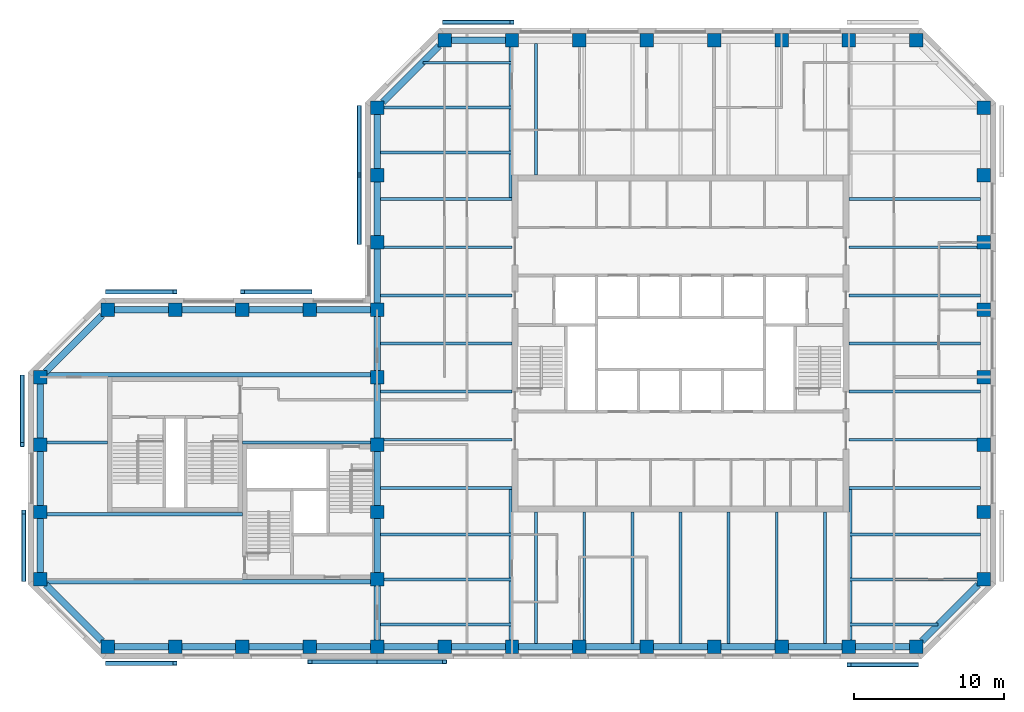
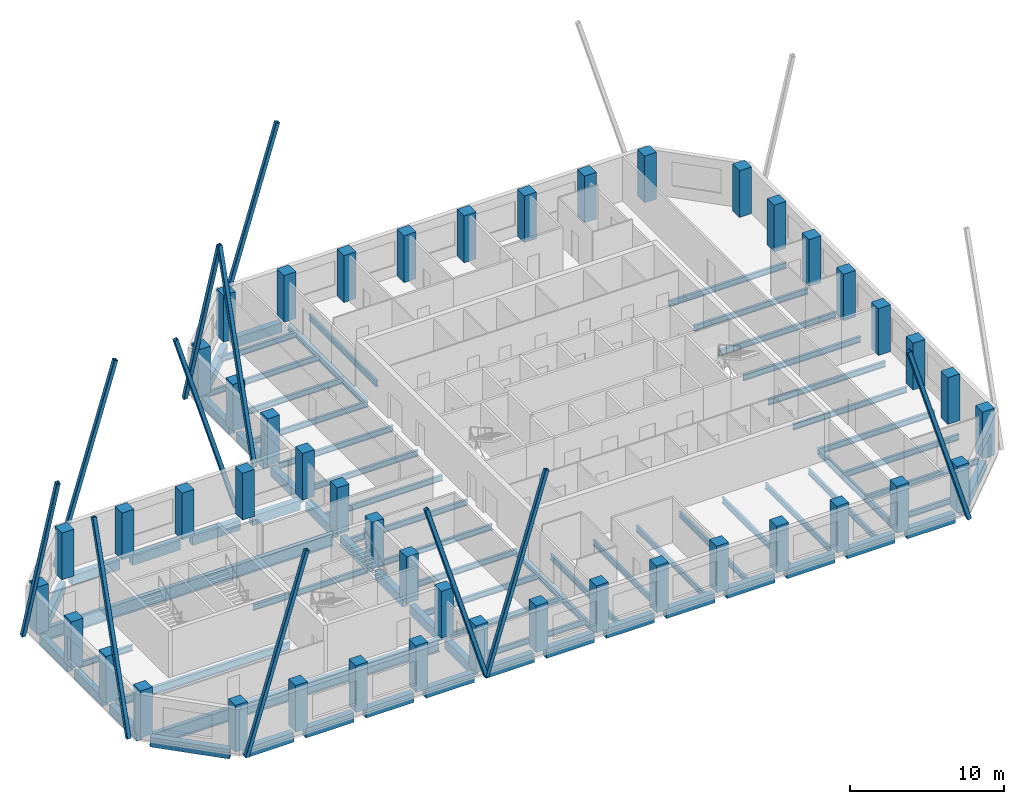
# One storey, part 1 of 9: 71 beams, 45 columns, 11 members.
"""IFC4 building model written with IfcOpenShell, lengths in metres."""

import ifcopenshell
import ifcopenshell.guid

model = None  # the IFC model being written
_history = None  # IfcOwnerHistory: only IFC2X3 demands one
_inside = {}  # id of a spatial element -> (the spatial element, [elements in it])
_under = {}  # id of a project, library or spatial element -> (it, [spatial elements below it])
_declared = {}  # id of a project -> (the project, [libraries it declares])
_typed = {}  # id of a type object -> (the type object, [elements of that type])
_made_of = {}  # id of a material, layer set ... -> (it, [elements and type objects made of it])


def new_model(schema):
    """Start an empty IFC model of exactly this schema.

    Asked for "IFC4X3", IfcOpenShell would pick the latest addendum, in which some entities
    have other attributes; the version numbers below select the first issue.
    IFC2X3 requires an IfcOwnerHistory on every rooted entity: one is made here for all.
    """
    global model, _history
    if schema == "IFC4X3":
        model = ifcopenshell.file(schema_version=(4, 3, 0, 0))
    else:
        model = ifcopenshell.file(schema=schema)
    _inside.clear()
    _under.clear()
    _declared.clear()
    _typed.clear()
    _made_of.clear()
    _history = None
    if model.schema == "IFC2X3":
        org = make("IfcOrganization", Name="unknown")
        user = make(
            "IfcPersonAndOrganization",
            ThePerson=make("IfcPerson", FamilyName="unknown"),
            TheOrganization=org,
        )
        app = make(
            "IfcApplication",
            ApplicationDeveloper=org,
            Version="unknown",
            ApplicationFullName="unknown",
            ApplicationIdentifier="unknown",
        )
        _history = make(
            "IfcOwnerHistory",
            OwningUser=user,
            OwningApplication=app,
            ChangeAction="ADDED",
            CreationDate=0,
        )
    return model


def make(cls, **values):
    """One entity of the class cls with the attributes given. An attribute that is None is left unset."""
    return model.create_entity(
        cls, **{name: value for name, value in values.items() if value is not None}
    )


def rooted(cls, **values):
    """An entity with a GlobalId (a new one), such as an element, a storey or a relation."""
    return make(cls, GlobalId=ifcopenshell.guid.new(), OwnerHistory=_history, **values)


def si_unit(unit_type, name, prefix=None):
    """IfcSIUnit, for example si_unit("LENGTHUNIT", "METRE", prefix="MILLI")."""
    return make("IfcSIUnit", UnitType=unit_type, Prefix=prefix, Name=name)


def assignment(units):
    """IfcUnitAssignment: the units of a project."""
    return None if units is None else make("IfcUnitAssignment", Units=units)


def point(xyz):
    """IfcCartesianPoint."""
    return None if xyz is None else make("IfcCartesianPoint", Coordinates=xyz)


def direction(xyz):
    """IfcDirection."""
    return None if xyz is None else make("IfcDirection", DirectionRatios=xyz)


def frame(location, z_axis=None, x_axis=None):
    """IfcAxis2Placement3D, a coordinate frame: its origin and axes. An axis left out is left unset."""
    return make(
        "IfcAxis2Placement3D",
        Location=point(location),
        Axis=direction(z_axis),
        RefDirection=direction(x_axis),
    )


def frame_2d(location, x_axis=None):
    """IfcAxis2Placement2D, a coordinate frame in the plane: its origin and x axis."""
    return make(
        "IfcAxis2Placement2D", Location=point(location), RefDirection=direction(x_axis)
    )


def origin():
    """The frame at (0, 0, 0) with its axes left unset."""
    return frame((0.0, 0.0, 0.0))


def origin_2d():
    """The frame at (0, 0) in the plane with its x axis left unset."""
    return frame_2d((0.0, 0.0))


def place(relative_to, where):
    """IfcLocalPlacement: puts the frame where relative to a parent placement (None: the world)."""
    return make(
        "IfcLocalPlacement", PlacementRelTo=relative_to, RelativePlacement=where
    )


def context(
    kind, dimensions, precision=None, world=None, true_north=None, identifier=None
):
    """IfcGeometricRepresentationContext, for example the 3D "Model" context."""
    return make(
        "IfcGeometricRepresentationContext",
        ContextIdentifier=identifier,
        ContextType=kind,
        CoordinateSpaceDimension=dimensions,
        Precision=precision,
        WorldCoordinateSystem=world,
        TrueNorth=true_north,
    )


def subcontext(parent, identifier, kind, view, scale=None):
    """IfcGeometricRepresentationSubContext, for example "Body" below "Model"."""
    return make(
        "IfcGeometricRepresentationSubContext",
        ContextIdentifier=identifier,
        ContextType=kind,
        ParentContext=parent,
        TargetScale=scale,
        TargetView=view,
    )


def project(units=None, contexts=None):
    """IfcProject with its units and contexts."""
    return rooted(
        "IfcProject",
        Name="project",
        RepresentationContexts=contexts,
        UnitsInContext=assignment(units),
    )


def spatial(cls, under=None, at=None, **own):
    """A site, building, storey or space (cls), placed at a placement, below another one or the project."""
    s = rooted(cls, ObjectPlacement=at, **own)
    if under is not None:
        _under.setdefault(under.id(), (under, []))[1].append(s)
    return s


def profile(cls, at=None, kind="AREA", **sizes):
    """A parametric profile (cls). Its sizes go by their IFC names, for example OverallWidth=200.0."""
    return make(cls, ProfileType=kind, Position=at, **sizes)


def rectangle(**sizes):
    """IfcRectangleProfileDef."""
    return profile("IfcRectangleProfileDef", **sizes)


def hollow_rectangle(**sizes):
    """IfcRectangleHollowProfileDef."""
    return profile("IfcRectangleHollowProfileDef", **sizes)


def i_section(**sizes):
    """IfcIShapeProfileDef."""
    return profile("IfcIShapeProfileDef", **sizes)


def extrude(swept, where, along, depth):
    """IfcExtrudedAreaSolid: the profile swept, set in the frame where, extruded along a direction by depth."""
    return make(
        "IfcExtrudedAreaSolid",
        SweptArea=swept,
        Position=where,
        ExtrudedDirection=direction(along),
        Depth=depth,
    )


def shape(context_of_items, identifier, shape_type, items):
    """IfcShapeRepresentation: the items that make up one representation, for example the "Body"."""
    return make(
        "IfcShapeRepresentation",
        ContextOfItems=context_of_items,
        RepresentationIdentifier=identifier,
        RepresentationType=shape_type,
        Items=items,
    )


def material(Name=None, Category=None):
    """IfcMaterial."""
    return make("IfcMaterial", Name=Name, Category=Category)


def material_profile(
    of_material, cross_section, Name=None, Category=None, Priority=None
):
    """IfcMaterialProfile: a cross section and its material."""
    return make(
        "IfcMaterialProfile",
        Name=Name,
        Material=of_material,
        Profile=cross_section,
        Priority=Priority,
        Category=Category,
    )


def profile_set(profiles, Name=None, composite=None):
    """IfcMaterialProfileSet."""
    return make(
        "IfcMaterialProfileSet",
        Name=Name,
        MaterialProfiles=profiles,
        CompositeProfile=composite,
    )


def made_of(thing, what):
    """Note that an element or type object is made of a material, layer set ...; save() writes the relation."""
    if what is not None:
        _made_of.setdefault(what.id(), (what, []))[1].append(thing)
    return thing


def type_object(cls, material=None, **own):
    """A type object (cls), such as IfcWallType, which elements share."""
    return made_of(rooted(cls, **own), material)


def element(
    cls,
    number,
    at=None,
    inside=None,
    cuts=None,
    type_object=None,
    material=None,
    context=None,
    identifier="Body",
    shape_type=None,
    held_by="IfcProductDefinitionShape",
    body=None,
    shapes=None,
    **own,
):
    """One element of the class cls, such as IfcWall. Its Tag is "e" and its number.

    at: its placement. inside: the storey or other place that contains it. cuts: it is an
    opening in that element (IfcRelVoidsElement). A single representation is given by context,
    identifier, shape_type and body (its items); several are given by shapes. held_by: the class
    of the entity that holds the representations. save() writes the other relations.
    """
    e = rooted(cls, Tag="e%d" % number, ObjectPlacement=at, **own)
    if body is not None:
        shapes = [shape(context, identifier, shape_type, body)]
    if shapes is not None:
        e.Representation = make(held_by, Representations=shapes)
    if inside is not None:
        _inside.setdefault(inside.id(), (inside, []))[1].append(e)
    if cuts is not None:
        rooted(
            "IfcRelVoidsElement", RelatingBuildingElement=cuts, RelatedOpeningElement=e
        )
    if type_object is not None:
        _typed.setdefault(type_object.id(), (type_object, []))[1].append(e)
    return made_of(e, material)


def aggregate(whole, parts):
    """IfcRelAggregates: a whole, such as a stair, and the parts it consists of."""
    return rooted("IfcRelAggregates", RelatingObject=whole, RelatedObjects=parts)


def save(model, path):
    """Write the relations noted so far, then the file.

    IfcRelAggregates (storeys below a building ...), IfcRelContainedInSpatialStructure (elements
    in a storey), IfcRelDefinesByType, IfcRelAssociatesMaterial and IfcRelDeclares: one each for
    every whole, place, type object, material and project.
    """
    for whole, parts in _under.values():
        aggregate(whole, parts)
    for where, things in _inside.values():
        rooted(
            "IfcRelContainedInSpatialStructure",
            RelatedElements=things,
            RelatingStructure=where,
        )
    for kind, things in _typed.values():
        rooted("IfcRelDefinesByType", RelatedObjects=things, RelatingType=kind)
    for what, things in _made_of.values():
        rooted("IfcRelAssociatesMaterial", RelatedObjects=things, RelatingMaterial=what)
    for by, libraries in _declared.values():
        rooted("IfcRelDeclares", RelatingContext=by, RelatedDefinitions=libraries)
    model.write(path)


model = new_model("IFC4")

# Units and contexts
model_context = context("Model", 3, precision=1e-05, world=origin(), true_north=direction((0.0, 1.0)))
body_context = subcontext(model_context, "Body", "Model", "MODEL_VIEW")
ifc_project = project(units=[si_unit("LENGTHUNIT", "METRE"), si_unit("AREAUNIT", "SQUARE_METRE"), si_unit("VOLUMEUNIT", "CUBIC_METRE"), si_unit("PLANEANGLEUNIT", "RADIAN"), si_unit("MASSUNIT", "GRAM", prefix="KILO")], contexts=[model_context])

# Site, building, storey
site_placement = place(None, origin())
site = spatial("IfcSite", under=ifc_project, at=site_placement, CompositionType="ELEMENT")
building_placement = place(site_placement, origin())
building = spatial("IfcBuilding", under=site, at=building_placement, Name="Quoin Convention Tower", CompositionType="ELEMENT")
storey_placement = place(building_placement, frame((0.0, 0.0, 158.800048828125)))
storey = spatial("IfcBuildingStorey", under=building, at=storey_placement, Name="L41", CompositionType="ELEMENT", Elevation=158.800048828125)

# Columns
ifc_material_1 = material(Name="Concrete C50", Category="concrete")
ifc_material_profile_1 = material_profile(ifc_material_1, rectangle(XDim=0.89990234375, YDim=0.89990234375, at=origin_2d()), Name="RC 900x900")
ifc_profile_set_1 = profile_set([ifc_material_profile_1], Name="Concrete C50")
column_type = type_object("IfcColumnType", Name="RC 900x900 C50", PredefinedType="COLUMN", material=ifc_profile_set_1)
for number, where, z_axis, x_axis, name in (
    (1, (18.0, 40.5, 0.0), (0.0, 0.0, 1.0), (1.0, 0.0, 0.0), "col-L41-18000_40500"),
    (2, (22.5, 40.5, 0.0), (0.0, 0.0, 1.0), (1.0, 0.0, 0.0), "col-L41-22500_40500"),
    (3, (27.0, 40.5, 0.0), (0.0, 0.0, 1.0), (1.0, 0.0, 0.0), "col-L41-27000_40500"),
    (4, (31.5, 40.5, 0.0), (0.0, 0.0, 1.0), (1.0, 0.0, 0.0), "col-L41-31500_40500"),
    (5, (36.0, 40.5, 0.0), (0.0, 0.0, 1.0), (1.0, 0.0, 0.0), "col-L41-36000_40500"),
    (6, (40.5, 40.5, 0.0), (0.0, 0.0, 1.0), (1.0, 0.0, 0.0), "col-L41-40500_40500"),
    (7, (45.0, 40.5, 0.0), (0.0, 0.0, 1.0), (1.0, 0.0, 0.0), "col-L41-45000_40500"),
    (8, (49.5, 40.5, 0.0), (0.0, 0.0, 1.0), (1.0, 0.0, 0.0), "col-L41-49500_40500"),
    (9, (54.0, 40.5, 0.0), (0.0, 0.0, 1.0), (1.0, 0.0, 0.0), "col-L41-54000_40500"),
    (10, (58.5, 40.5, 0.0), (0.0, 0.0, 1.0), (1.0, 0.0, 0.0), "col-L41-58500_40500"),
    (11, (63.0, 40.5, 0.0), (0.0, 0.0, 1.0), (1.0, 0.0, 0.0), "col-L41-63000_40500"),
    (12, (67.5, 40.5, 0.0), (0.0, 0.0, 1.0), (1.0, 0.0, 0.0), "col-L41-67500_40500"),
    (13, (72.0, 40.5, 0.0), (0.0, 0.0, 1.0), (1.0, 0.0, 0.0), "col-L41-72000_40500"),
    (14, (13.5, 45.0, 0.0), (0.0, 0.0, 1.0), (1.0, 0.0, 0.0), "col-L41-13500_45000"),
    (15, (36.0, 45.0, 0.0), (0.0, 0.0, 1.0), (1.0, 0.0, 0.0), "web-L41-36000_45000"),
    (16, (76.5, 45.0, 0.0), (0.0, 0.0, 1.0), (1.0, 0.0, 0.0), "col-L41-76500_45000"),
    (17, (13.5, 49.5, 0.0), (0.0, 0.0, 1.0), (1.0, 0.0, 0.0), "col-L41-13500_49500"),
    (18, (36.0, 49.5, 0.0), (0.0, 0.0, 1.0), (1.0, 0.0, 0.0), "web-L41-36000_49500"),
    (19, (76.5, 49.5, 0.0), (0.0, 0.0, 1.0), (1.0, 0.0, 0.0), "col-L41-76500_49500"),
    (20, (13.5, 54.0, 0.0), (0.0, 0.0, 1.0), (1.0, 0.0, 0.0), "col-L41-13500_54000"),
    (21, (36.0, 54.0, 0.0), (0.0, 0.0, 1.0), (1.0, 0.0, 0.0), "web-L41-36000_54000"),
    (22, (76.5, 54.0, 0.0), (0.0, 0.0, 1.0), (1.0, 0.0, 0.0), "col-L41-76500_54000"),
    (23, (13.5, 58.5, 0.0), (0.0, 0.0, 1.0), (1.0, 0.0, 0.0), "col-L41-13500_58500"),
    (24, (36.0, 58.5, 0.0), (0.0, 0.0, 1.0), (1.0, 0.0, 0.0), "web-L41-36000_58500"),
    (25, (76.5, 58.5, 0.0), (0.0, 0.0, 1.0), (1.0, 0.0, 0.0), "col-L41-76500_58500"),
    (26, (18.0, 63.0, 0.0), (0.0, 0.0, 1.0), (1.0, 0.0, 0.0), "col-L41-18000_63000"),
    (27, (22.5, 63.0, 0.0), (0.0, 0.0, 1.0), (1.0, 0.0, 0.0), "col-L41-22500_63000"),
    (28, (27.0, 63.0, 0.0), (0.0, 0.0, 1.0), (1.0, 0.0, 0.0), "col-L41-27000_63000"),
    (29, (31.5, 63.0, 0.0), (0.0, 0.0, 1.0), (1.0, 0.0, 0.0), "col-L41-31500_63000"),
    (30, (36.0, 63.0, 0.0), (0.0, 0.0, 1.0), (1.0, 0.0, 0.0), "col-L41-36000_63000"),
    (31, (76.5, 63.0, 0.0), (0.0, 0.0, 1.0), (1.0, 0.0, 0.0), "col-L41-76500_63000"),
    (32, (36.0, 67.5, 0.0), (0.0, 0.0, 1.0), (1.0, 0.0, 0.0), "col-L41-36000_67500"),
    (33, (76.5, 67.5, 0.0), (0.0, 0.0, 1.0), (1.0, 0.0, 0.0), "col-L41-76500_67500"),
    (34, (36.0, 72.0, 0.0), (0.0, 0.0, 1.0), (1.0, 0.0, 0.0), "col-L41-36000_72000"),
    (35, (76.5, 72.0, 0.0), (0.0, 0.0, 1.0), (1.0, 0.0, 0.0), "col-L41-76500_72000"),
    (36, (36.0, 76.5, 0.0), (0.0, 0.0, 1.0), (1.0, 0.0, 0.0), "col-L41-36000_76500"),
    (37, (76.5, 76.5, 0.0), (0.0, 0.0, 1.0), (1.0, 0.0, 0.0), "col-L41-76500_76500"),
    (38, (40.5, 81.0, 0.0), (0.0, 0.0, 1.0), (1.0, 0.0, 0.0), "col-L41-40500_81000"),
    (39, (45.0, 81.0, 0.0), (0.0, 0.0, 1.0), (1.0, 0.0, 0.0), "col-L41-45000_81000"),
    (40, (49.5, 81.0, 0.0), (0.0, 0.0, 1.0), (1.0, 0.0, 0.0), "col-L41-49500_81000"),
    (41, (54.0, 81.0, 0.0), (0.0, 0.0, 1.0), (1.0, 0.0, 0.0), "col-L41-54000_81000"),
    (42, (58.5, 81.0, 0.0), (0.0, 0.0, 1.0), (1.0, 0.0, 0.0), "col-L41-58500_81000"),
    (43, (63.0, 81.0, 0.0), (0.0, 0.0, 1.0), (1.0, 0.0, 0.0), "col-L41-63000_81000"),
    (44, (67.5, 81.0, 0.0), (0.0, 0.0, 1.0), (1.0, 0.0, 0.0), "col-L41-67500_81000"),
    (45, (72.0, 81.0, 0.0), (0.0, 0.0, 1.0), (1.0, 0.0, 0.0), "col-L41-72000_81000"),
):
    element("IfcColumn", number, at=place(storey_placement, frame(where, z_axis=z_axis, x_axis=x_axis)), inside=storey, type_object=column_type, Name=name, PredefinedType="COLUMN", context=body_context, shape_type="SweptSolid", body=[
        extrude(rectangle(XDim=0.89990234375, YDim=0.89990234375, at=origin_2d()), origin(), (0.0, 0.0, 1.0), 3.699951171875),
    ])

# Beams
ifc_material_2 = material(Name="Steel Grade 300", Category="steel")
ifc_material_profile_2 = material_profile(ifc_material_2, i_section(OverallWidth=0.300048828125, OverallDepth=1.0, WebThickness=0.01611328125, FlangeThickness=0.02001953125, at=origin_2d()), Name="1000WB215")
ifc_profile_set_2 = profile_set([ifc_material_profile_2], Name="Steel Grade 300")
beam_type_1 = type_object("IfcBeamType", Name="1000WB215", PredefinedType="BEAM", material=ifc_profile_set_2)
for number, where, z_axis, x_axis, name in (
    (46, (13.949951171875, 44.85009765625, -0.650146484375), (1.0, 0.0, 0.0), (0.0, 1.0, 0.0), "gir-L41-ST2-1-0"),
    (47, (13.949951171875, 58.64990234375, -0.650146484375), (1.0, 0.0, 0.0), (0.0, 1.0, 0.0), "gir-L41-ST2-4-0"),
):
    element("IfcBeam", number, at=place(storey_placement, frame(where, z_axis=z_axis, x_axis=x_axis)), inside=storey, type_object=beam_type_1, Name=name, PredefinedType="BEAM", context=body_context, shape_type="SweptSolid", body=[
        extrude(i_section(OverallWidth=0.300048828125, OverallDepth=1.0, WebThickness=0.01611328125, FlangeThickness=0.02001953125, at=origin_2d()), origin(), (0.0, 0.0, 1.0), 21.60009765625),
    ])
ifc_material_profile_3 = material_profile(ifc_material_2, i_section(OverallWidth=0.18994140625, OverallDepth=0.4541015625, WebThickness=0.008544921875, FlangeThickness=0.0126953125, FilletRadius=0.011474609375, at=origin_2d()), Name="460UB67.1")
ifc_profile_set_3 = profile_set([ifc_material_profile_3], Name="Steel Grade 300")
beam_type_2 = type_object("IfcBeamType", Name="460UB67.1", PredefinedType="BEAM", material=ifc_profile_set_3)
beam_1_placement = place(storey_placement, frame((36.22509765625, 51.107177734375, -0.376953125), z_axis=(1.0, 0.0, 0.0), x_axis=(0.0, 1.0, 0.0)))
element("IfcBeam", 48, at=beam_1_placement, inside=storey, type_object=beam_type_2, Name="bm-L41-T1W0", PredefinedType="BEAM", context=body_context, shape_type="SweptSolid", body=[
    extrude(i_section(OverallWidth=0.18994140625, OverallDepth=0.4541015625, WebThickness=0.008544921875, FlangeThickness=0.0126953125, FilletRadius=0.011474609375, at=origin_2d()), origin(), (0.0, 0.0, 1.0), 8.77490234375),
])
beam_2_placement = place(storey_placement, frame((36.449951171875, 54.3212890625, -0.376953125), z_axis=(1.0, 0.0, 0.0), x_axis=(0.0, 1.0, 0.0)))
element("IfcBeam", 49, at=beam_2_placement, inside=storey, type_object=beam_type_2, Name="bm-L41-T1W1", PredefinedType="BEAM", context=body_context, shape_type="SweptSolid", body=[
    extrude(i_section(OverallWidth=0.18994140625, OverallDepth=0.4541015625, WebThickness=0.008544921875, FlangeThickness=0.0126953125, FilletRadius=0.011474609375, at=origin_2d()), origin(), (0.0, 0.0, 1.0), 8.550048828125),
])
for number, where, z_axis, x_axis, name in (
    (50, (36.22509765625, 57.53564453125, -0.376953125), (1.0, 0.0, 0.0), (0.0, 1.0, 0.0), "bm-L41-T1W2"),
    (51, (36.22509765625, 60.75, -0.376953125), (1.0, 0.0, 0.0), (0.0, 1.0, 0.0), "bm-L41-T1W3"),
    (52, (36.22509765625, 63.96435546875, -0.376953125), (1.0, 0.0, 0.0), (0.0, 1.0, 0.0), "bm-L41-T1W4"),
):
    element("IfcBeam", number, at=place(storey_placement, frame(where, z_axis=z_axis, x_axis=x_axis)), inside=storey, type_object=beam_type_2, Name=name, PredefinedType="BEAM", context=body_context, shape_type="SweptSolid", body=[
        extrude(i_section(OverallWidth=0.18994140625, OverallDepth=0.4541015625, WebThickness=0.008544921875, FlangeThickness=0.0126953125, FilletRadius=0.011474609375, at=origin_2d()), origin(), (0.0, 0.0, 1.0), 8.77490234375),
    ])
beam_3_placement = place(storey_placement, frame((36.449951171875, 67.1787109375, -0.376953125), z_axis=(1.0, 0.0, 0.0), x_axis=(0.0, 1.0, 0.0)))
element("IfcBeam", 53, at=beam_3_placement, inside=storey, type_object=beam_type_2, Name="bm-L41-T1W5", PredefinedType="BEAM", context=body_context, shape_type="SweptSolid", body=[
    extrude(i_section(OverallWidth=0.18994140625, OverallDepth=0.4541015625, WebThickness=0.008544921875, FlangeThickness=0.0126953125, FilletRadius=0.011474609375, at=origin_2d()), origin(), (0.0, 0.0, 1.0), 8.550048828125),
])
for number, where, z_axis, x_axis, name in (
    (54, (36.22509765625, 70.392822265625, -0.376953125), (1.0, 0.0, 0.0), (0.0, 1.0, 0.0), "bm-L41-T1W6"),
    (55, (67.5, 51.107177734375, -0.376953125), (1.0, 0.0, 0.0), (0.0, 1.0, 0.0), "bm-L41-T1E0"),
):
    element("IfcBeam", number, at=place(storey_placement, frame(where, z_axis=z_axis, x_axis=x_axis)), inside=storey, type_object=beam_type_2, Name=name, PredefinedType="BEAM", context=body_context, shape_type="SweptSolid", body=[
        extrude(i_section(OverallWidth=0.18994140625, OverallDepth=0.4541015625, WebThickness=0.008544921875, FlangeThickness=0.0126953125, FilletRadius=0.011474609375, at=origin_2d()), origin(), (0.0, 0.0, 1.0), 8.77490234375),
    ])
beam_4_placement = place(storey_placement, frame((67.5, 54.3212890625, -0.376953125), z_axis=(1.0, 0.0, 0.0), x_axis=(0.0, 1.0, 0.0)))
element("IfcBeam", 56, at=beam_4_placement, inside=storey, type_object=beam_type_2, Name="bm-L41-T1E1", PredefinedType="BEAM", context=body_context, shape_type="SweptSolid", body=[
    extrude(i_section(OverallWidth=0.18994140625, OverallDepth=0.4541015625, WebThickness=0.008544921875, FlangeThickness=0.0126953125, FilletRadius=0.011474609375, at=origin_2d()), origin(), (0.0, 0.0, 1.0), 8.550048828125),
])
for number, where, z_axis, x_axis, name in (
    (57, (67.5, 57.53564453125, -0.376953125), (1.0, 0.0, 0.0), (0.0, 1.0, 0.0), "bm-L41-T1E2"),
    (58, (67.5, 60.75, -0.376953125), (1.0, 0.0, 0.0), (0.0, 1.0, 0.0), "bm-L41-T1E3"),
    (59, (67.5, 63.96435546875, -0.376953125), (1.0, 0.0, 0.0), (0.0, 1.0, 0.0), "bm-L41-T1E4"),
):
    element("IfcBeam", number, at=place(storey_placement, frame(where, z_axis=z_axis, x_axis=x_axis)), inside=storey, type_object=beam_type_2, Name=name, PredefinedType="BEAM", context=body_context, shape_type="SweptSolid", body=[
        extrude(i_section(OverallWidth=0.18994140625, OverallDepth=0.4541015625, WebThickness=0.008544921875, FlangeThickness=0.0126953125, FilletRadius=0.011474609375, at=origin_2d()), origin(), (0.0, 0.0, 1.0), 8.77490234375),
    ])
beam_5_placement = place(storey_placement, frame((67.5, 67.1787109375, -0.376953125), z_axis=(1.0, 0.0, 0.0), x_axis=(0.0, 1.0, 0.0)))
element("IfcBeam", 60, at=beam_5_placement, inside=storey, type_object=beam_type_2, Name="bm-L41-T1E5", PredefinedType="BEAM", context=body_context, shape_type="SweptSolid", body=[
    extrude(i_section(OverallWidth=0.18994140625, OverallDepth=0.4541015625, WebThickness=0.008544921875, FlangeThickness=0.0126953125, FilletRadius=0.011474609375, at=origin_2d()), origin(), (0.0, 0.0, 1.0), 8.550048828125),
])
for number, where, z_axis, x_axis, name in (
    (61, (67.5, 70.392822265625, -0.376953125), (1.0, 0.0, 0.0), (0.0, 1.0, 0.0), "bm-L41-T1E6"),
    (62, (46.607177734375, 40.72509765625, -0.376953125), (0.0, 1.0, 0.0), (-1.0, 0.0, 0.0), "bm-L41-T1S0"),
):
    element("IfcBeam", number, at=place(storey_placement, frame(where, z_axis=z_axis, x_axis=x_axis)), inside=storey, type_object=beam_type_2, Name=name, PredefinedType="BEAM", context=body_context, shape_type="SweptSolid", body=[
        extrude(i_section(OverallWidth=0.18994140625, OverallDepth=0.4541015625, WebThickness=0.008544921875, FlangeThickness=0.0126953125, FilletRadius=0.011474609375, at=origin_2d()), origin(), (0.0, 0.0, 1.0), 8.77490234375),
    ])
beam_6_placement = place(storey_placement, frame((49.8212890625, 40.949951171875, -0.376953125), z_axis=(0.0, 1.0, 0.0), x_axis=(-1.0, 0.0, 0.0)))
element("IfcBeam", 63, at=beam_6_placement, inside=storey, type_object=beam_type_2, Name="bm-L41-T1S1", PredefinedType="BEAM", context=body_context, shape_type="SweptSolid", body=[
    extrude(i_section(OverallWidth=0.18994140625, OverallDepth=0.4541015625, WebThickness=0.008544921875, FlangeThickness=0.0126953125, FilletRadius=0.011474609375, at=origin_2d()), origin(), (0.0, 0.0, 1.0), 8.550048828125),
])
for number, where, z_axis, x_axis, name in (
    (64, (53.03564453125, 40.72509765625, -0.376953125), (0.0, 1.0, 0.0), (-1.0, 0.0, 0.0), "bm-L41-T1S2"),
    (65, (56.25, 40.72509765625, -0.376953125), (0.0, 1.0, 0.0), (-1.0, 0.0, 0.0), "bm-L41-T1S3"),
    (66, (59.46435546875, 40.72509765625, -0.376953125), (0.0, 1.0, 0.0), (-1.0, 0.0, 0.0), "bm-L41-T1S4"),
):
    element("IfcBeam", number, at=place(storey_placement, frame(where, z_axis=z_axis, x_axis=x_axis)), inside=storey, type_object=beam_type_2, Name=name, PredefinedType="BEAM", context=body_context, shape_type="SweptSolid", body=[
        extrude(i_section(OverallWidth=0.18994140625, OverallDepth=0.4541015625, WebThickness=0.008544921875, FlangeThickness=0.0126953125, FilletRadius=0.011474609375, at=origin_2d()), origin(), (0.0, 0.0, 1.0), 8.77490234375),
    ])
beam_7_placement = place(storey_placement, frame((62.6787109375, 40.949951171875, -0.376953125), z_axis=(0.0, 1.0, 0.0), x_axis=(-1.0, 0.0, 0.0)))
element("IfcBeam", 67, at=beam_7_placement, inside=storey, type_object=beam_type_2, Name="bm-L41-T1S5", PredefinedType="BEAM", context=body_context, shape_type="SweptSolid", body=[
    extrude(i_section(OverallWidth=0.18994140625, OverallDepth=0.4541015625, WebThickness=0.008544921875, FlangeThickness=0.0126953125, FilletRadius=0.011474609375, at=origin_2d()), origin(), (0.0, 0.0, 1.0), 8.550048828125),
])
for number, where, z_axis, x_axis, name in (
    (68, (65.892822265625, 40.72509765625, -0.376953125), (0.0, 1.0, 0.0), (-1.0, 0.0, 0.0), "bm-L41-T1S6"),
    (69, (46.607177734375, 72.0, -0.376953125), (0.0, 1.0, 0.0), (-1.0, 0.0, 0.0), "bm-L41-T1N0"),
    (70, (36.22509765625, 42.0, -0.376953125), (1.0, 0.0, 0.0), (0.0, 1.0, 0.0), "bm-L41-T1SW0"),
):
    element("IfcBeam", number, at=place(storey_placement, frame(where, z_axis=z_axis, x_axis=x_axis)), inside=storey, type_object=beam_type_2, Name=name, PredefinedType="BEAM", context=body_context, shape_type="SweptSolid", body=[
        extrude(i_section(OverallWidth=0.18994140625, OverallDepth=0.4541015625, WebThickness=0.008544921875, FlangeThickness=0.0126953125, FilletRadius=0.011474609375, at=origin_2d()), origin(), (0.0, 0.0, 1.0), 8.77490234375),
    ])
beam_8_placement = place(storey_placement, frame((36.449951171875, 45.0, -0.376953125), z_axis=(1.0, 0.0, 0.0), x_axis=(0.0, 1.0, 0.0)))
element("IfcBeam", 71, at=beam_8_placement, inside=storey, type_object=beam_type_2, Name="bm-L41-T1SW1", PredefinedType="BEAM", context=body_context, shape_type="SweptSolid", body=[
    extrude(i_section(OverallWidth=0.18994140625, OverallDepth=0.4541015625, WebThickness=0.008544921875, FlangeThickness=0.0126953125, FilletRadius=0.011474609375, at=origin_2d()), origin(), (0.0, 0.0, 1.0), 8.550048828125),
])
beam_9_placement = place(storey_placement, frame((36.22509765625, 48.0, -0.376953125), z_axis=(1.0, 0.0, 0.0), x_axis=(0.0, 1.0, 0.0)))
element("IfcBeam", 72, at=beam_9_placement, inside=storey, type_object=beam_type_2, Name="bm-L41-T1SW2", PredefinedType="BEAM", context=body_context, shape_type="SweptSolid", body=[
    extrude(i_section(OverallWidth=0.18994140625, OverallDepth=0.4541015625, WebThickness=0.008544921875, FlangeThickness=0.0126953125, FilletRadius=0.011474609375, at=origin_2d()), origin(), (0.0, 0.0, 1.0), 8.77490234375),
])
beam_10_placement = place(storey_placement, frame((67.5, 42.0, -0.376953125), z_axis=(1.0, 0.0, 0.0), x_axis=(0.0, 1.0, 0.0)))
element("IfcBeam", 73, at=beam_10_placement, inside=storey, type_object=beam_type_2, Name="bm-L41-T1SE0", PredefinedType="BEAM", context=body_context, shape_type="SweptSolid", body=[
    extrude(i_section(OverallWidth=0.18994140625, OverallDepth=0.4541015625, WebThickness=0.008544921875, FlangeThickness=0.0126953125, FilletRadius=0.011474609375, at=origin_2d()), origin(), (0.0, 0.0, 1.0), 5.935791015625),
])
beam_11_placement = place(storey_placement, frame((67.5, 45.0, -0.376953125), z_axis=(1.0, 0.0, 0.0), x_axis=(0.0, 1.0, 0.0)))
element("IfcBeam", 74, at=beam_11_placement, inside=storey, type_object=beam_type_2, Name="bm-L41-T1SE1", PredefinedType="BEAM", context=body_context, shape_type="SweptSolid", body=[
    extrude(i_section(OverallWidth=0.18994140625, OverallDepth=0.4541015625, WebThickness=0.008544921875, FlangeThickness=0.0126953125, FilletRadius=0.011474609375, at=origin_2d()), origin(), (0.0, 0.0, 1.0), 8.550048828125),
])
beam_12_placement = place(storey_placement, frame((67.5, 48.0, -0.376953125), z_axis=(1.0, 0.0, 0.0), x_axis=(0.0, 1.0, 0.0)))
element("IfcBeam", 75, at=beam_12_placement, inside=storey, type_object=beam_type_2, Name="bm-L41-T1SE2", PredefinedType="BEAM", context=body_context, shape_type="SweptSolid", body=[
    extrude(i_section(OverallWidth=0.18994140625, OverallDepth=0.4541015625, WebThickness=0.008544921875, FlangeThickness=0.0126953125, FilletRadius=0.011474609375, at=origin_2d()), origin(), (0.0, 0.0, 1.0), 8.77490234375),
])
beam_13_placement = place(storey_placement, frame((39.064208984375, 79.5, -0.376953125), z_axis=(1.0, 0.0, 0.0), x_axis=(0.0, 1.0, 0.0)))
element("IfcBeam", 76, at=beam_13_placement, inside=storey, type_object=beam_type_2, Name="bm-L41-T1NW0", PredefinedType="BEAM", context=body_context, shape_type="SweptSolid", body=[
    extrude(i_section(OverallWidth=0.18994140625, OverallDepth=0.4541015625, WebThickness=0.008544921875, FlangeThickness=0.0126953125, FilletRadius=0.011474609375, at=origin_2d()), origin(), (0.0, 0.0, 1.0), 5.935791015625),
])
beam_14_placement = place(storey_placement, frame((36.449951171875, 76.5, -0.376953125), z_axis=(1.0, 0.0, 0.0), x_axis=(0.0, 1.0, 0.0)))
element("IfcBeam", 77, at=beam_14_placement, inside=storey, type_object=beam_type_2, Name="bm-L41-T1NW1", PredefinedType="BEAM", context=body_context, shape_type="SweptSolid", body=[
    extrude(i_section(OverallWidth=0.18994140625, OverallDepth=0.4541015625, WebThickness=0.008544921875, FlangeThickness=0.0126953125, FilletRadius=0.011474609375, at=origin_2d()), origin(), (0.0, 0.0, 1.0), 8.550048828125),
])
beam_15_placement = place(storey_placement, frame((36.22509765625, 73.5, -0.376953125), z_axis=(1.0, 0.0, 0.0), x_axis=(0.0, 1.0, 0.0)))
element("IfcBeam", 78, at=beam_15_placement, inside=storey, type_object=beam_type_2, Name="bm-L41-T1NW2", PredefinedType="BEAM", context=body_context, shape_type="SweptSolid", body=[
    extrude(i_section(OverallWidth=0.18994140625, OverallDepth=0.4541015625, WebThickness=0.008544921875, FlangeThickness=0.0126953125, FilletRadius=0.011474609375, at=origin_2d()), origin(), (0.0, 0.0, 1.0), 8.77490234375),
])
beam_16_placement = place(storey_placement, frame((13.949951171875, 54.14990234375, -0.376953125), z_axis=(1.0, 0.0, 0.0), x_axis=(0.0, 1.0, 0.0)))
element("IfcBeam", 79, at=beam_16_placement, inside=storey, type_object=beam_type_2, Name="gir-L41-ST2-3-0", PredefinedType="BEAM", context=body_context, shape_type="SweptSolid", body=[
    extrude(i_section(OverallWidth=0.18994140625, OverallDepth=0.4541015625, WebThickness=0.008544921875, FlangeThickness=0.0126953125, FilletRadius=0.011474609375, at=origin_2d()), origin(), (0.0, 0.0, 1.0), 4.050048828125),
])
beam_17_placement = place(storey_placement, frame((27.0, 54.14990234375, -0.376953125), z_axis=(1.0, 0.0, 0.0), x_axis=(0.0, 1.0, 0.0)))
element("IfcBeam", 80, at=beam_17_placement, inside=storey, type_object=beam_type_2, Name="gir-L41-ST2-3-1", PredefinedType="BEAM", context=body_context, shape_type="SweptSolid", body=[
    extrude(i_section(OverallWidth=0.18994140625, OverallDepth=0.4541015625, WebThickness=0.008544921875, FlangeThickness=0.0126953125, FilletRadius=0.011474609375, at=origin_2d()), origin(), (0.0, 0.0, 1.0), 8.550048828125),
])
ifc_material_profile_4 = material_profile(ifc_material_2, i_section(OverallWidth=0.208984375, OverallDepth=0.528076171875, WebThickness=0.009521484375, FlangeThickness=0.01318359375, FilletRadius=0.013916015625, at=origin_2d()), Name="530UB82.0")
ifc_profile_set_4 = profile_set([ifc_material_profile_4], Name="Steel Grade 300")
beam_type_3 = type_object("IfcBeamType", Name="530UB82.0", PredefinedType="BEAM", material=ifc_profile_set_4)
for number, where, z_axis, x_axis, name in (
    (81, (44.904541015625, 40.949951171875, -0.4140625), (0.0, 1.0, 0.0), (-1.0, 0.0, 0.0), "gir-L41-T1SW"),
    (82, (67.595458984375, 40.949951171875, -0.4140625), (0.0, 1.0, 0.0), (-1.0, 0.0, 0.0), "gir-L41-T1SE"),
    (83, (44.904541015625, 80.550048828125, -0.4140625), (0.0, -1.0, 0.0), (1.0, 0.0, 0.0), "gir-L41-T1NW"),
):
    element("IfcBeam", number, at=place(storey_placement, frame(where, z_axis=z_axis, x_axis=x_axis)), inside=storey, type_object=beam_type_3, Name=name, PredefinedType="BEAM", context=body_context, shape_type="SweptSolid", body=[
        extrude(i_section(OverallWidth=0.208984375, OverallDepth=0.528076171875, WebThickness=0.009521484375, FlangeThickness=0.01318359375, FilletRadius=0.013916015625, at=origin_2d()), origin(), (0.0, 0.0, 1.0), 10.062255859375),
    ])
ifc_material_profile_5 = material_profile(ifc_material_2, i_section(OverallWidth=0.22802734375, OverallDepth=0.60205078125, WebThickness=0.010498046875, FlangeThickness=0.014892578125, FilletRadius=0.013916015625, at=origin_2d()), Name="610UB101")
ifc_profile_set_5 = profile_set([ifc_material_profile_5], Name="Steel Grade 300")
beam_type_4 = type_object("IfcBeamType", Name="610UB101", PredefinedType="BEAM", material=ifc_profile_set_5)
beam_18_placement = place(storey_placement, frame((13.949951171875, 49.35009765625, -0.450927734375), z_axis=(1.0, 0.0, 0.0), x_axis=(0.0, 1.0, 0.0)))
element("IfcBeam", 84, at=beam_18_placement, inside=storey, type_object=beam_type_4, Name="gir-L41-ST2-2-0", PredefinedType="BEAM", context=body_context, shape_type="SweptSolid", body=[
    extrude(i_section(OverallWidth=0.22802734375, OverallDepth=0.60205078125, WebThickness=0.010498046875, FlangeThickness=0.014892578125, FilletRadius=0.013916015625, at=origin_2d()), origin(), (0.0, 0.0, 1.0), 13.050048828125),
])

# Members
ifc_material_3 = material(Name="Steel C450L0", Category="steel")
ifc_material_profile_6 = material_profile(ifc_material_3, hollow_rectangle(XDim=0.300048828125, YDim=0.300048828125, WallThickness=0.012451171875, InnerFilletRadius=0.018798828125, OuterFilletRadius=0.03125, at=origin_2d()), Name="300x300x12.5SHS")
ifc_profile_set_6 = profile_set([ifc_material_profile_6], Name="Steel C450L0")
member_type = type_object("IfcMemberType", Name="Exposed brace 300x300x12.5SHS", PredefinedType="BRACE", material=ifc_profile_set_6)
for number, where, z_axis, x_axis, name in (
    (85, (12.300048828125, 58.5, -0.074951171875), (0.0, -0.290907879885, 0.956751067635), (1.0, 0.0, 0.0), "brc-L41-13500_58500-13500_54000"),
    (86, (12.39990234375, 45.0, -0.074951171875), (0.0, 0.290907879885, 0.956751067635), (-1.0, 0.0, 0.0), "brc-L41-13500_49500-13500_45000"),
    (87, (18.0, 39.39990234375, -0.074951171875), (0.290907879885, 0.0, 0.956751067635), (0.0, 1.0, 0.0), "brc-L41-18000_40500-22500_40500"),
    (88, (36.0, 39.5, -0.074951171875), (-0.290907879885, 0.0, 0.956751067635), (0.0, -1.0, 0.0), "brc-L41-31500_40500-36000_40500"),
    (89, (36.0, 39.5, -0.074951171875), (0.290907879885, 0.0, 0.956751067635), (0.0, 1.0, 0.0), "brc-L41-36000_40500-40500_40500"),
    (90, (72.0, 39.300048828125, -0.074951171875), (-0.290907879885, 0.0, 0.956751067635), (0.0, -1.0, 0.0), "brc-L41-67500_40500-72000_40500"),
    (91, (31.5, 64.199951171875, -0.074951171875), (-0.290907879885, 0.0, 0.956751067635), (0.0, -1.0, 0.0), "brc-L41-31500_63000-27000_63000"),
    (92, (18.0, 64.199951171875, -0.074951171875), (0.290907879885, 0.0, 0.956751067635), (0.0, 1.0, 0.0), "brc-L41-22500_63000-18000_63000"),
    (93, (34.800048828125, 76.5, -0.074951171875), (0.0, -0.290907879885, 0.956751067635), (1.0, 0.0, 0.0), "brc-L41-36000_76500-36000_72000"),
    (94, (34.800048828125, 67.5, -0.074951171875), (0.0, 0.290907879885, 0.956751067635), (-1.0, 0.0, 0.0), "brc-L41-36000_72000-36000_67500"),
    (95, (40.5, 82.199951171875, -0.074951171875), (0.290907879885, 0.0, 0.956751067635), (0.0, 1.0, 0.0), "brc-L41-45000_81000-40500_81000"),
):
    element("IfcMember", number, at=place(storey_placement, frame(where, z_axis=z_axis, x_axis=x_axis)), inside=storey, type_object=member_type, Name=name, PredefinedType="BRACE", context=body_context, shape_type="SweptSolid", body=[
        extrude(hollow_rectangle(XDim=0.300048828125, YDim=0.300048828125, WallThickness=0.012451171875, InnerFilletRadius=0.018798828125, OuterFilletRadius=0.03125, at=origin_2d()), origin(), (0.0, 0.0, 1.0), 15.46875),
    ])

# Beams
ifc_material_profile_7 = material_profile(ifc_material_1, rectangle(XDim=0.449951171875, YDim=0.75, at=origin_2d()), Name="RC 450x750")
ifc_profile_set_7 = profile_set([ifc_material_profile_7], Name="Concrete C50")
beam_type_5 = type_object("IfcBeamType", Name="RC 450x750 C50", PredefinedType="SPANDREL", material=ifc_profile_set_7)
for number, where, z_axis, x_axis, name in (
    (96, (36.449951171875, 40.5, -0.525146484375), (1.0, 0.0, 0.0), (0.0, 1.0, 0.0), "spd-L41-36000_40500-40500_40500"),
    (97, (40.949951171875, 40.5, -0.525146484375), (1.0, 0.0, 0.0), (0.0, 1.0, 0.0), "spd-L41-40500_40500-45000_40500"),
    (98, (45.449951171875, 40.5, -0.525146484375), (1.0, 0.0, 0.0), (0.0, 1.0, 0.0), "spd-L41-45000_40500-49500_40500"),
    (99, (49.949951171875, 40.5, -0.525146484375), (1.0, 0.0, 0.0), (0.0, 1.0, 0.0), "spd-L41-49500_40500-54000_40500"),
    (100, (54.449951171875, 40.5, -0.525146484375), (1.0, 0.0, 0.0), (0.0, 1.0, 0.0), "spd-L41-54000_40500-58500_40500"),
    (101, (58.949951171875, 40.5, -0.525146484375), (1.0, 0.0, 0.0), (0.0, 1.0, 0.0), "spd-L41-58500_40500-63000_40500"),
    (102, (63.449951171875, 40.5, -0.525146484375), (1.0, 0.0, 0.0), (0.0, 1.0, 0.0), "spd-L41-63000_40500-67500_40500"),
    (103, (67.949951171875, 40.5, -0.525146484375), (1.0, 0.0, 0.0), (0.0, 1.0, 0.0), "spd-L41-67500_40500-72000_40500"),
):
    element("IfcBeam", number, at=place(storey_placement, frame(where, z_axis=z_axis, x_axis=x_axis)), inside=storey, type_object=beam_type_5, Name=name, PredefinedType="SPANDREL", context=body_context, shape_type="SweptSolid", body=[
        extrude(rectangle(XDim=0.449951171875, YDim=0.75, at=origin_2d()), origin(), (0.0, 0.0, 1.0), 3.60009765625),
    ])
beam_19_placement = place(storey_placement, frame((72.364990234375, 40.864990234375, -0.525146484375), z_axis=(0.707106781187, 0.707106781187, 0.0), x_axis=(-0.707106781187, 0.707106781187, 0.0)))
element("IfcBeam", 104, at=beam_19_placement, inside=storey, type_object=beam_type_5, Name="spd-L41-72000_40500-76500_45000", PredefinedType="SPANDREL", context=body_context, shape_type="SweptSolid", body=[
    extrude(rectangle(XDim=0.449951171875, YDim=0.75, at=origin_2d()), origin(), (0.0, 0.0, 1.0), 5.33154296875),
])
beam_20_placement = place(storey_placement, frame((44.550048828125, 81.0, -0.525146484375), z_axis=(-1.0, 0.0, 0.0), x_axis=(0.0, -1.0, 0.0)))
element("IfcBeam", 105, at=beam_20_placement, inside=storey, type_object=beam_type_5, Name="spd-L41-45000_81000-40500_81000", PredefinedType="SPANDREL", context=body_context, shape_type="SweptSolid", body=[
    extrude(rectangle(XDim=0.449951171875, YDim=0.75, at=origin_2d()), origin(), (0.0, 0.0, 1.0), 3.60009765625),
])
beam_21_placement = place(storey_placement, frame((40.135009765625, 80.635009765625, -0.525146484375), z_axis=(-0.707106781187, -0.707106781187, 0.0), x_axis=(0.707106781187, -0.707106781187, 0.0)))
element("IfcBeam", 106, at=beam_21_placement, inside=storey, type_object=beam_type_5, Name="spd-L41-40500_81000-36000_76500", PredefinedType="SPANDREL", context=body_context, shape_type="SweptSolid", body=[
    extrude(rectangle(XDim=0.449951171875, YDim=0.75, at=origin_2d()), origin(), (0.0, 0.0, 1.0), 5.33154296875),
])
for number, where, z_axis, x_axis, name in (
    (107, (36.0, 76.050048828125, -0.525146484375), (0.0, -1.0, 0.0), (1.0, 0.0, 0.0), "spd-L41-36000_76500-36000_72000"),
    (108, (36.0, 71.550048828125, -0.525146484375), (0.0, -1.0, 0.0), (1.0, 0.0, 0.0), "spd-L41-36000_72000-36000_67500"),
    (109, (36.0, 67.050048828125, -0.525146484375), (0.0, -1.0, 0.0), (1.0, 0.0, 0.0), "spd-L41-36000_67500-36000_63000"),
    (110, (35.550048828125, 63.0, -0.525146484375), (-1.0, 0.0, 0.0), (0.0, -1.0, 0.0), "spd-L41-36000_63000-31500_63000"),
    (111, (31.050048828125, 63.0, -0.525146484375), (-1.0, 0.0, 0.0), (0.0, -1.0, 0.0), "spd-L41-31500_63000-27000_63000"),
    (112, (26.550048828125, 63.0, -0.525146484375), (-1.0, 0.0, 0.0), (0.0, -1.0, 0.0), "spd-L41-27000_63000-22500_63000"),
    (113, (22.050048828125, 63.0, -0.525146484375), (-1.0, 0.0, 0.0), (0.0, -1.0, 0.0), "spd-L41-22500_63000-18000_63000"),
):
    element("IfcBeam", number, at=place(storey_placement, frame(where, z_axis=z_axis, x_axis=x_axis)), inside=storey, type_object=beam_type_5, Name=name, PredefinedType="SPANDREL", context=body_context, shape_type="SweptSolid", body=[
        extrude(rectangle(XDim=0.449951171875, YDim=0.75, at=origin_2d()), origin(), (0.0, 0.0, 1.0), 3.60009765625),
    ])
beam_22_placement = place(storey_placement, frame((17.635009765625, 62.635009765625, -0.525146484375), z_axis=(-0.707106781187, -0.707106781187, 0.0), x_axis=(0.707106781187, -0.707106781187, 0.0)))
element("IfcBeam", 114, at=beam_22_placement, inside=storey, type_object=beam_type_5, Name="spd-L41-18000_63000-13500_58500", PredefinedType="SPANDREL", context=body_context, shape_type="SweptSolid", body=[
    extrude(rectangle(XDim=0.449951171875, YDim=0.75, at=origin_2d()), origin(), (0.0, 0.0, 1.0), 5.33154296875),
])
for number, where, z_axis, x_axis, name in (
    (115, (13.5, 58.050048828125, -0.525146484375), (0.0, -1.0, 0.0), (1.0, 0.0, 0.0), "spd-L41-13500_58500-13500_54000"),
    (116, (13.5, 53.550048828125, -0.525146484375), (0.0, -1.0, 0.0), (1.0, 0.0, 0.0), "spd-L41-13500_54000-13500_49500"),
    (117, (13.5, 49.050048828125, -0.525146484375), (0.0, -1.0, 0.0), (1.0, 0.0, 0.0), "spd-L41-13500_49500-13500_45000"),
):
    element("IfcBeam", number, at=place(storey_placement, frame(where, z_axis=z_axis, x_axis=x_axis)), inside=storey, type_object=beam_type_5, Name=name, PredefinedType="SPANDREL", context=body_context, shape_type="SweptSolid", body=[
        extrude(rectangle(XDim=0.449951171875, YDim=0.75, at=origin_2d()), origin(), (0.0, 0.0, 1.0), 3.60009765625),
    ])
beam_23_placement = place(storey_placement, frame((13.864990234375, 44.635009765625, -0.525146484375), z_axis=(0.707106781187, -0.707106781187, 0.0), x_axis=(0.707106781187, 0.707106781187, 0.0)))
element("IfcBeam", 118, at=beam_23_placement, inside=storey, type_object=beam_type_5, Name="spd-L41-13500_45000-18000_40500", PredefinedType="SPANDREL", context=body_context, shape_type="SweptSolid", body=[
    extrude(rectangle(XDim=0.449951171875, YDim=0.75, at=origin_2d()), origin(), (0.0, 0.0, 1.0), 5.33154296875),
])
for number, where, z_axis, x_axis, name in (
    (119, (18.449951171875, 40.5, -0.525146484375), (1.0, 0.0, 0.0), (0.0, 1.0, 0.0), "spd-L41-18000_40500-22500_40500"),
    (120, (22.949951171875, 40.5, -0.525146484375), (1.0, 0.0, 0.0), (0.0, 1.0, 0.0), "spd-L41-22500_40500-27000_40500"),
    (121, (27.449951171875, 40.5, -0.525146484375), (1.0, 0.0, 0.0), (0.0, 1.0, 0.0), "spd-L41-27000_40500-31500_40500"),
    (122, (31.949951171875, 40.5, -0.525146484375), (1.0, 0.0, 0.0), (0.0, 1.0, 0.0), "spd-L41-31500_40500-36000_40500"),
    (123, (36.0, 40.949951171875, -0.525146484375), (0.0, 1.0, 0.0), (-1.0, 0.0, 0.0), "spd-L41-36000_40500-36000_45000"),
    (124, (36.0, 45.449951171875, -0.525146484375), (0.0, 1.0, 0.0), (-1.0, 0.0, 0.0), "spd-L41-36000_45000-36000_49500"),
    (125, (36.0, 49.949951171875, -0.525146484375), (0.0, 1.0, 0.0), (-1.0, 0.0, 0.0), "spd-L41-36000_49500-36000_54000"),
    (126, (36.0, 54.449951171875, -0.525146484375), (0.0, 1.0, 0.0), (-1.0, 0.0, 0.0), "spd-L41-36000_54000-36000_58500"),
    (127, (36.0, 58.949951171875, -0.525146484375), (0.0, 1.0, 0.0), (-1.0, 0.0, 0.0), "spd-L41-36000_58500-36000_63000"),
):
    element("IfcBeam", number, at=place(storey_placement, frame(where, z_axis=z_axis, x_axis=x_axis)), inside=storey, type_object=beam_type_5, Name=name, PredefinedType="SPANDREL", context=body_context, shape_type="SweptSolid", body=[
        extrude(rectangle(XDim=0.449951171875, YDim=0.75, at=origin_2d()), origin(), (0.0, 0.0, 1.0), 3.60009765625),
    ])

save(model, "model.ifc")
